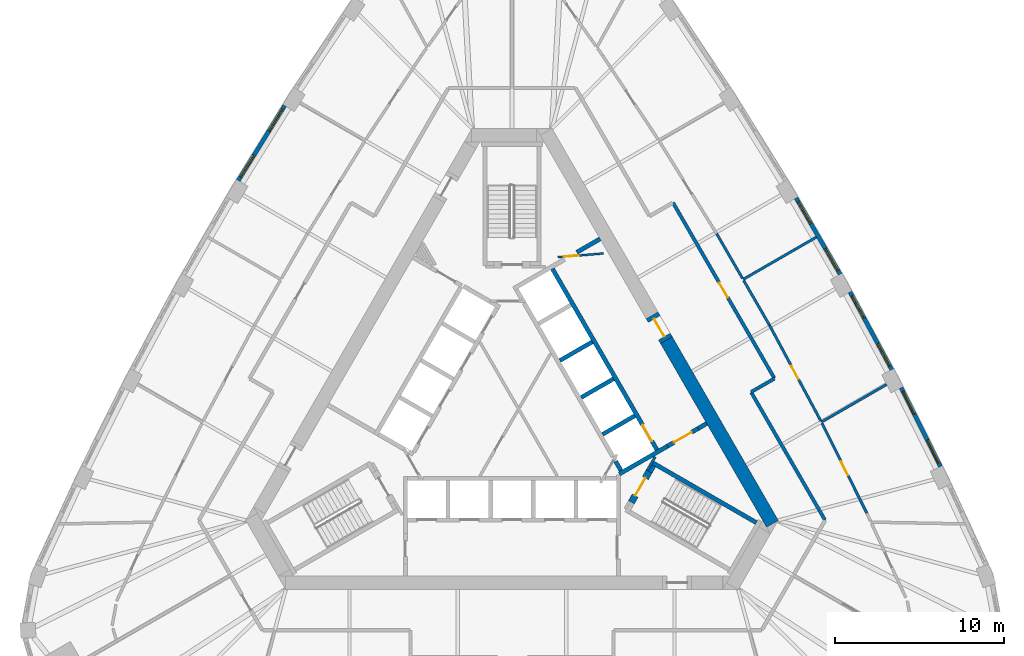
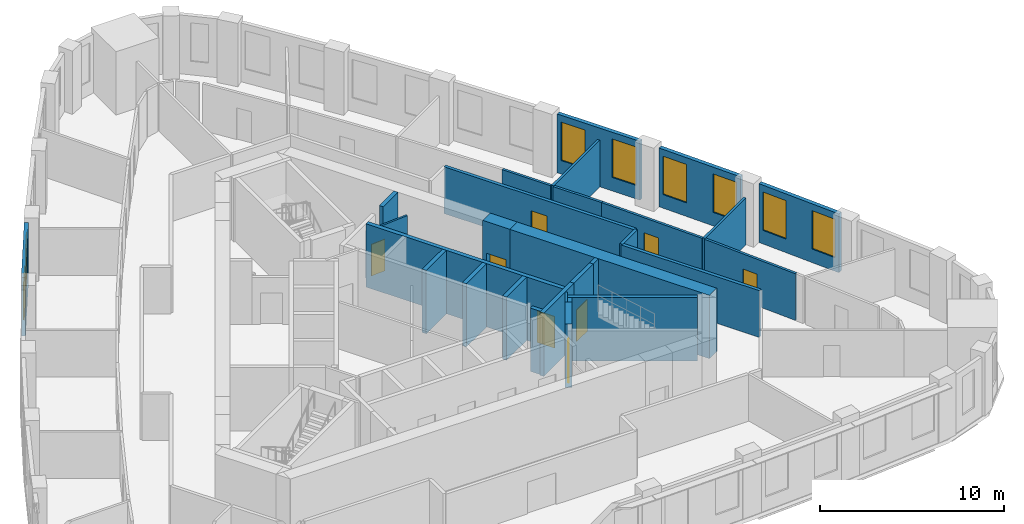
# One storey, part 7 of 10: 29 walls, 8 doors, 8 windows, 16 openings.
"""IFC4 building model written with IfcOpenShell, lengths in metres."""

from ifc_helpers import new_model, si_unit, direction, frame, frame_2d, origin, place, context, subcontext, project, spatial, rectangle, extrude, material, layer, layer_set, type_object, element, fill, save


model = new_model("IFC4")

# Units and contexts
model_context = context("Model", 3, precision=1e-05, world=origin(), true_north=direction((0.0, 1.0)))
body_context = subcontext(model_context, "Body", "Model", "MODEL_VIEW")
ifc_project = project(units=[si_unit("LENGTHUNIT", "METRE"), si_unit("AREAUNIT", "SQUARE_METRE"), si_unit("VOLUMEUNIT", "CUBIC_METRE"), si_unit("PLANEANGLEUNIT", "RADIAN"), si_unit("MASSUNIT", "GRAM", prefix="KILO")], contexts=[model_context])

# Site, building, storey
site_placement = place(None, origin())
site = spatial("IfcSite", under=ifc_project, at=site_placement, CompositionType="ELEMENT")
building_placement = place(site_placement, origin())
building = spatial("IfcBuilding", under=site, at=building_placement, Name="Mestral Congress Tower", CompositionType="ELEMENT")
storey_placement = place(building_placement, frame((0.0, 0.0, 192.0)))
storey = spatial("IfcBuildingStorey", under=building, at=storey_placement, Name="L45", CompositionType="ELEMENT", Elevation=192.0)

# Wall, opening, door
ifc_material_1 = material(Name="Fire-rated board partition")
ifc_layer_1 = layer(ifc_material_1, 0.1201171875)
ifc_layer_set_1 = layer_set([ifc_layer_1], Name="Fire-rated board partition")
wall_type_1 = type_object("IfcWallType", Name="Core partition 150 door-wall 120", PredefinedType="PARTITIONING", material=ifc_layer_set_1)
wall_1_placement = place(storey_placement, frame((5.3984375, 9.418701171875, 0.0), z_axis=(0.0, 0.0, 1.0), x_axis=(-0.996653416376, -0.081743303248, 0.0)))
wall_1 = element("IfcWall", 1, at=wall_1_placement, inside=storey, type_object=wall_type_1, Name="L45 door wall", PredefinedType="PARTITIONING", context=body_context, shape_type="SweptSolid", body=[
    extrude(rectangle(XDim=2.699951171875, YDim=0.119873046875, at=frame_2d((1.35009765625, 0.0))), origin(), (0.0, 0.0, 1.0), 3.10009765625),
])
opening_1_placement = place(wall_1_placement, frame((1.449951171875, 0.0, 0.0)))
opening_1 = element("IfcOpeningElement", 2, at=opening_1_placement, cuts=wall_1, Name="Opening TD2", PredefinedType="OPENING", context=body_context, shape_type="SweptSolid", body=[
    extrude(rectangle(XDim=0.89990234375, YDim=2.10009765625, at=frame_2d((0.449951171875, 1.050048828125))), frame((0.0, 0.06982421875, 0.0), z_axis=(0.0, -1.0, 0.0), x_axis=(1.0, 0.0, 0.0)), (0.0, 0.0, 1.0), 0.139892578125),
])
ifc_material_2 = material(Name="Fire-rated steel door set", Category="steel")
door_type_1 = type_object("IfcDoorType", Name="Core door SR 900x2100", OperationType="SINGLE_SWING_LEFT", PredefinedType="DOOR", material=ifc_material_2)
door_1_placement = place(opening_1_placement, origin())
door_1 = element("IfcDoor", 3, at=door_1_placement, inside=storey, type_object=door_type_1, Name="Door TD2", OperationType="SINGLE_SWING_LEFT", OverallHeight=2.10009765625, OverallWidth=0.89990234375, PredefinedType="DOOR", context=body_context, shape_type="SweptSolid", body=[
    extrude(rectangle(XDim=0.89990234375, YDim=2.10009765625, at=frame_2d((0.449951171875, 1.050048828125))), frame((0.0, 0.02490234375, 0.0), z_axis=(0.0, -1.0, 0.0), x_axis=(1.0, 0.0, 0.0)), (0.0, 0.0, 1.0), 0.050048828125),
])
fill(opening_1, door_1)

# Wall
ifc_material_3 = material(Name="Concrete C60/75", Category="concrete")
ifc_layer_2 = layer(ifc_material_3, 0.800048828125)
ifc_layer_set_2 = layer_set([ifc_layer_2], Name="Concrete C60/75")
wall_type_2 = type_object("IfcWallType", Name="Core wall RC 800", PredefinedType="SOLIDWALL", material=ifc_layer_set_2)
wall_2_placement = place(storey_placement, frame((9.128662109375, 4.288818359375, 0.0), z_axis=(0.0, 0.0, 1.0), x_axis=(0.499995742806, -0.866027861663, 0.0)))
element("IfcWall", 4, at=wall_2_placement, inside=storey, type_object=wall_type_2, Name="L45 core wall", PredefinedType="SOLIDWALL", context=body_context, shape_type="SweptSolid", body=[
    extrude(rectangle(XDim=12.52734375, YDim=0.800048828125, at=frame_2d((6.263671875, 0.0))), origin(), (0.0, 0.0, 1.0), 4.199951171875),
])

# Wall, opening, door
wall_3_placement = place(storey_placement, frame((8.278564453125, 5.760986328125, 0.0), z_axis=(0.0, 0.0, 1.0), x_axis=(0.500062241894, -0.865989465428, 0.0)))
wall_3 = element("IfcWall", 5, at=wall_3_placement, inside=storey, type_object=wall_type_2, Name="L45 door wall", PredefinedType="SOLIDWALL", context=body_context, shape_type="SweptSolid", body=[
    extrude(rectangle(XDim=1.699951171875, YDim=0.800048828125, at=frame_2d((0.85009765625, 0.0))), origin(), (0.0, 0.0, 1.0), 4.199951171875),
])
opening_2_placement = place(wall_3_placement, frame((0.25, 0.0, 0.0)))
opening_2 = element("IfcOpeningElement", 6, at=opening_2_placement, cuts=wall_3, Name="Opening XDL", PredefinedType="OPENING", context=body_context, shape_type="SweptSolid", body=[
    extrude(rectangle(XDim=1.199951171875, YDim=2.10009765625, at=frame_2d((0.60009765625, 1.050048828125))), frame((0.0, 0.409912109375, 0.0), z_axis=(0.0, -1.0, 0.0), x_axis=(1.0, 0.0, 0.0)), (0.0, 0.0, 1.0), 0.820068359375),
])
door_type_2 = type_object("IfcDoorType", Name="Core door XD 1200x2100", OperationType="SINGLE_SWING_LEFT", PredefinedType="DOOR", material=ifc_material_2)
door_2_placement = place(opening_2_placement, origin())
door_2 = element("IfcDoor", 7, at=door_2_placement, inside=storey, type_object=door_type_2, Name="Door XDL", OperationType="SINGLE_SWING_LEFT", OverallHeight=2.10009765625, OverallWidth=1.199951171875, PredefinedType="DOOR", context=body_context, shape_type="SweptSolid", body=[
    extrude(rectangle(XDim=1.199951171875, YDim=2.10009765625, at=frame_2d((0.60009765625, 1.050048828125))), frame((0.0, 0.02490234375, 0.0), z_axis=(0.0, -1.0, 0.0), x_axis=(1.0, 0.0, 0.0)), (0.0, 0.0, 1.0), 0.050048828125),
])
fill(opening_2, door_2)

# Wall, openings, windows
ifc_material_4 = material(Name="Precast concrete C40/50 with limestone facing", Category="masonry")
ifc_layer_3 = layer(ifc_material_4, 0.239990234375)
ifc_layer_set_3 = layer_set([ifc_layer_3], Name="Precast concrete C40/50 with limestone facing")
wall_type_3 = type_object("IfcWallType", Name="Facade stone wall 240", PredefinedType="SOLIDWALL", material=ifc_layer_set_3)
wall_4_placement = place(storey_placement, frame((25.31591796875, -3.17138671875, 0.0), z_axis=(0.0, 0.0, 1.0), x_axis=(-0.446256171312, 0.8949052629, 0.0)))
wall_4 = element("IfcWall", 8, at=wall_4_placement, inside=storey, type_object=wall_type_3, Name="Facade wall F1-01", PredefinedType="SOLIDWALL", context=body_context, shape_type="SweptSolid", body=[
    extrude(rectangle(XDim=5.203369140625, YDim=0.239990234375, at=frame_2d((2.6015625, 0.0))), origin(), (0.0, 0.0, 1.0), 3.89990234375),
])
opening_3_placement = place(wall_4_placement, frame((0.248291015625, 0.0, 0.89990234375)))
opening_3 = element("IfcOpeningElement", 9, at=opening_3_placement, cuts=wall_4, Name="Opening W4", PredefinedType="OPENING", context=body_context, shape_type="SweptSolid", body=[
    extrude(rectangle(XDim=1.5, YDim=2.550048828125, at=frame_2d((0.75, 1.27490234375))), frame((0.0, 0.1298828125, 0.0), z_axis=(0.0, -1.0, 0.0), x_axis=(1.0, 0.0, 0.0)), (0.0, 0.0, 1.0), 0.260009765625),
])
opening_4_placement = place(wall_4_placement, frame((3.455078125, 0.0, 0.89990234375)))
opening_4 = element("IfcOpeningElement", 10, at=opening_4_placement, cuts=wall_4, Name="Opening W4", PredefinedType="OPENING", context=body_context, shape_type="SweptSolid", body=[
    extrude(rectangle(XDim=1.5, YDim=2.550048828125, at=frame_2d((0.75, 1.27490234375))), frame((0.0, 0.1298828125, 0.0), z_axis=(0.0, -1.0, 0.0), x_axis=(1.0, 0.0, 0.0)), (0.0, 0.0, 1.0), 0.260009765625),
])
ifc_material_5 = material(Name="Clear low-emissivity double glazing", Category="glass")
window_type = type_object("IfcWindowType", Name="Facade punched window 1500 x 2550 sill 900", PartitioningType="SINGLE_PANEL", PredefinedType="WINDOW", material=ifc_material_5)
window_1_placement = place(opening_3_placement, origin())
window_1 = element("IfcWindow", 11, at=window_1_placement, inside=storey, type_object=window_type, Name="Window F1-01a", OverallHeight=2.550048828125, OverallWidth=1.5, PartitioningType="SINGLE_PANEL", PredefinedType="WINDOW", context=body_context, shape_type="SweptSolid", body=[
    extrude(rectangle(XDim=1.5, YDim=2.550048828125, at=frame_2d((0.75, 1.27490234375))), frame((0.0, 0.0400390625, 0.0), z_axis=(0.0, -1.0, 0.0), x_axis=(1.0, 0.0, 0.0)), (0.0, 0.0, 1.0), 0.06005859375),
])
fill(opening_3, window_1)
window_2_placement = place(opening_4_placement, origin())
window_2 = element("IfcWindow", 12, at=window_2_placement, inside=storey, type_object=window_type, Name="Window F1-01b", OverallHeight=2.550048828125, OverallWidth=1.5, PartitioningType="SINGLE_PANEL", PredefinedType="WINDOW", context=body_context, shape_type="SweptSolid", body=[
    extrude(rectangle(XDim=1.5, YDim=2.550048828125, at=frame_2d((0.75, 1.27490234375))), frame((0.0, 0.0400390625, 0.0), z_axis=(0.0, -1.0, 0.0), x_axis=(1.0, 0.0, 0.0)), (0.0, 0.0, 1.0), 0.06005859375),
])
fill(opening_4, window_2)

wall_5_placement = place(storey_placement, frame((22.43994140625, 2.554931640625, 0.0), z_axis=(0.0, 0.0, 1.0), x_axis=(-0.473349833294, 0.880874528704, 0.0)))
wall_5 = element("IfcWall", 13, at=wall_5_placement, inside=storey, type_object=wall_type_3, Name="Facade wall F1-02", PredefinedType="SOLIDWALL", context=body_context, shape_type="SweptSolid", body=[
    extrude(rectangle(XDim=5.20361328125, YDim=0.239990234375, at=frame_2d((2.601806640625, 0.0))), origin(), (0.0, 0.0, 1.0), 3.89990234375),
])
opening_5_placement = place(wall_5_placement, frame((0.248291015625, 0.0, 0.89990234375)))
opening_5 = element("IfcOpeningElement", 14, at=opening_5_placement, cuts=wall_5, Name="Opening W4", PredefinedType="OPENING", context=body_context, shape_type="SweptSolid", body=[
    extrude(rectangle(XDim=1.5, YDim=2.550048828125, at=frame_2d((0.75, 1.27490234375))), frame((0.0, 0.1298828125, 0.0), z_axis=(0.0, -1.0, 0.0), x_axis=(1.0, 0.0, 0.0)), (0.0, 0.0, 1.0), 0.260009765625),
])
opening_6_placement = place(wall_5_placement, frame((3.455078125, 0.0, 0.89990234375)))
opening_6 = element("IfcOpeningElement", 15, at=opening_6_placement, cuts=wall_5, Name="Opening W4", PredefinedType="OPENING", context=body_context, shape_type="SweptSolid", body=[
    extrude(rectangle(XDim=1.5, YDim=2.550048828125, at=frame_2d((0.75, 1.27490234375))), frame((0.0, 0.1298828125, 0.0), z_axis=(0.0, -1.0, 0.0), x_axis=(1.0, 0.0, 0.0)), (0.0, 0.0, 1.0), 0.260009765625),
])
window_3_placement = place(opening_5_placement, origin())
window_3 = element("IfcWindow", 16, at=window_3_placement, inside=storey, type_object=window_type, Name="Window F1-02a", OverallHeight=2.550048828125, OverallWidth=1.5, PartitioningType="SINGLE_PANEL", PredefinedType="WINDOW", context=body_context, shape_type="SweptSolid", body=[
    extrude(rectangle(XDim=1.5, YDim=2.550048828125, at=frame_2d((0.75, 1.27490234375))), frame((0.0, 0.0400390625, 0.0), z_axis=(0.0, -1.0, 0.0), x_axis=(1.0, 0.0, 0.0)), (0.0, 0.0, 1.0), 0.06005859375),
])
fill(opening_5, window_3)
window_4_placement = place(opening_6_placement, origin())
window_4 = element("IfcWindow", 17, at=window_4_placement, inside=storey, type_object=window_type, Name="Window F1-02b", OverallHeight=2.550048828125, OverallWidth=1.5, PartitioningType="SINGLE_PANEL", PredefinedType="WINDOW", context=body_context, shape_type="SweptSolid", body=[
    extrude(rectangle(XDim=1.5, YDim=2.550048828125, at=frame_2d((0.75, 1.27490234375))), frame((0.0, 0.0400390625, 0.0), z_axis=(0.0, -1.0, 0.0), x_axis=(1.0, 0.0, 0.0)), (0.0, 0.0, 1.0), 0.06005859375),
])
fill(opening_6, window_4)

wall_6_placement = place(storey_placement, frame((19.390625, 8.19091796875, 0.0), z_axis=(0.0, 0.0, 1.0), x_axis=(-0.500009456303, 0.866019944116, 0.0)))
wall_6 = element("IfcWall", 18, at=wall_6_placement, inside=storey, type_object=wall_type_3, Name="Facade wall F1-03", PredefinedType="SOLIDWALL", context=body_context, shape_type="SweptSolid", body=[
    extrude(rectangle(XDim=5.20361328125, YDim=0.239990234375, at=frame_2d((2.601806640625, 0.0))), origin(), (0.0, 0.0, 1.0), 3.89990234375),
])
opening_7_placement = place(wall_6_placement, frame((0.248291015625, 0.0, 0.89990234375)))
opening_7 = element("IfcOpeningElement", 19, at=opening_7_placement, cuts=wall_6, Name="Opening W4", PredefinedType="OPENING", context=body_context, shape_type="SweptSolid", body=[
    extrude(rectangle(XDim=1.5, YDim=2.550048828125, at=frame_2d((0.75, 1.27490234375))), frame((0.0, 0.1298828125, 0.0), z_axis=(0.0, -1.0, 0.0), x_axis=(1.0, 0.0, 0.0)), (0.0, 0.0, 1.0), 0.260009765625),
])
opening_8_placement = place(wall_6_placement, frame((3.455078125, 0.0, 0.89990234375)))
opening_8 = element("IfcOpeningElement", 20, at=opening_8_placement, cuts=wall_6, Name="Opening W4", PredefinedType="OPENING", context=body_context, shape_type="SweptSolid", body=[
    extrude(rectangle(XDim=1.5, YDim=2.550048828125, at=frame_2d((0.75, 1.27490234375))), frame((0.0, 0.1298828125, 0.0), z_axis=(0.0, -1.0, 0.0), x_axis=(1.0, 0.0, 0.0)), (0.0, 0.0, 1.0), 0.260009765625),
])
window_5_placement = place(opening_7_placement, origin())
window_5 = element("IfcWindow", 21, at=window_5_placement, inside=storey, type_object=window_type, Name="Window F1-03a", OverallHeight=2.550048828125, OverallWidth=1.5, PartitioningType="SINGLE_PANEL", PredefinedType="WINDOW", context=body_context, shape_type="SweptSolid", body=[
    extrude(rectangle(XDim=1.5, YDim=2.550048828125, at=frame_2d((0.75, 1.27490234375))), frame((0.0, 0.0400390625, 0.0), z_axis=(0.0, -1.0, 0.0), x_axis=(1.0, 0.0, 0.0)), (0.0, 0.0, 1.0), 0.06005859375),
])
fill(opening_7, window_5)
window_6_placement = place(opening_8_placement, origin())
window_6 = element("IfcWindow", 22, at=window_6_placement, inside=storey, type_object=window_type, Name="Window F1-03b", OverallHeight=2.550048828125, OverallWidth=1.5, PartitioningType="SINGLE_PANEL", PredefinedType="WINDOW", context=body_context, shape_type="SweptSolid", body=[
    extrude(rectangle(XDim=1.5, YDim=2.550048828125, at=frame_2d((0.75, 1.27490234375))), frame((0.0, 0.0400390625, 0.0), z_axis=(0.0, -1.0, 0.0), x_axis=(1.0, 0.0, 0.0)), (0.0, 0.0, 1.0), 0.06005859375),
])
fill(opening_8, window_6)

wall_7_placement = place(storey_placement, frame((-13.4326171875, 18.156005859375, 0.0), z_axis=(0.0, 0.0, 1.0), x_axis=(-0.526197926587, -0.850362124072, 0.0)))
wall_7 = element("IfcWall", 23, at=wall_7_placement, inside=storey, type_object=wall_type_3, Name="Facade wall F2-02", PredefinedType="SOLIDWALL", context=body_context, shape_type="SweptSolid", body=[
    extrude(rectangle(XDim=5.203369140625, YDim=0.239990234375, at=frame_2d((2.6015625, 0.0))), origin(), (0.0, 0.0, 1.0), 3.89990234375),
])
opening_9_placement = place(wall_7_placement, frame((0.248291015625, 0.0, 0.89990234375)))
opening_9 = element("IfcOpeningElement", 24, at=opening_9_placement, cuts=wall_7, Name="Opening W4", PredefinedType="OPENING", context=body_context, shape_type="SweptSolid", body=[
    extrude(rectangle(XDim=1.5, YDim=2.550048828125, at=frame_2d((0.75, 1.27490234375))), frame((0.0, 0.1298828125, 0.0), z_axis=(0.0, -1.0, 0.0), x_axis=(1.0, 0.0, 0.0)), (0.0, 0.0, 1.0), 0.260009765625),
])
opening_10_placement = place(wall_7_placement, frame((3.455078125, 0.0, 0.89990234375)))
opening_10 = element("IfcOpeningElement", 25, at=opening_10_placement, cuts=wall_7, Name="Opening W4", PredefinedType="OPENING", context=body_context, shape_type="SweptSolid", body=[
    extrude(rectangle(XDim=1.5, YDim=2.550048828125, at=frame_2d((0.75, 1.27490234375))), frame((0.0, 0.1298828125, 0.0), z_axis=(0.0, -1.0, 0.0), x_axis=(1.0, 0.0, 0.0)), (0.0, 0.0, 1.0), 0.260009765625),
])
window_7_placement = place(opening_9_placement, origin())
window_7 = element("IfcWindow", 26, at=window_7_placement, inside=storey, type_object=window_type, Name="Window F2-02a", OverallHeight=2.550048828125, OverallWidth=1.5, PartitioningType="SINGLE_PANEL", PredefinedType="WINDOW", context=body_context, shape_type="SweptSolid", body=[
    extrude(rectangle(XDim=1.5, YDim=2.550048828125, at=frame_2d((0.75, 1.27490234375))), frame((0.0, 0.0400390625, 0.0), z_axis=(0.0, -1.0, 0.0), x_axis=(1.0, 0.0, 0.0)), (0.0, 0.0, 1.0), 0.06005859375),
])
fill(opening_9, window_7)
window_8_placement = place(opening_10_placement, origin())
window_8 = element("IfcWindow", 27, at=window_8_placement, inside=storey, type_object=window_type, Name="Window F2-02b", OverallHeight=2.550048828125, OverallWidth=1.5, PartitioningType="SINGLE_PANEL", PredefinedType="WINDOW", context=body_context, shape_type="SweptSolid", body=[
    extrude(rectangle(XDim=1.5, YDim=2.550048828125, at=frame_2d((0.75, 1.27490234375))), frame((0.0, 0.0400390625, 0.0), z_axis=(0.0, -1.0, 0.0), x_axis=(1.0, 0.0, 0.0)), (0.0, 0.0, 1.0), 0.06005859375),
])
fill(opening_10, window_8)

# Wall
ifc_material_6 = material(Name="Plasterboard partition on steel studs", Category="steel")
ifc_layer_4 = layer(ifc_material_6, 0.14990234375)
ifc_layer_set_4 = layer_set([ifc_layer_4], Name="Plasterboard partition on steel studs")
wall_type_4 = type_object("IfcWallType", Name="Office partition 150", PredefinedType="PARTITIONING", material=ifc_layer_set_4)
wall_8_placement = place(storey_placement, frame((18.2861328125, -0.54736328125, 0.0), z_axis=(0.0, 0.0, 1.0), x_axis=(0.866043033223, 0.499969463673, 0.0)))
element("IfcWall", 28, at=wall_8_placement, inside=storey, type_object=wall_type_4, Name="Partition", PredefinedType="PARTITIONING", context=body_context, shape_type="SweptSolid", body=[
    extrude(rectangle(XDim=4.448974609375, YDim=0.14990234375, at=frame_2d((2.224609375, 0.0))), origin(), (0.0, 0.0, 1.0), 3.10009765625),
])

# Wall, opening, door
wall_9_placement = place(storey_placement, frame((18.319580078125, -0.61474609375, 0.0), z_axis=(0.0, 0.0, 1.0), x_axis=(0.446258864447, -0.894903919928, 0.0)))
wall_9 = element("IfcWall", 29, at=wall_9_placement, inside=storey, type_object=wall_type_4, Name="Partition", PredefinedType="PARTITIONING", context=body_context, shape_type="SweptSolid", body=[
    extrude(rectangle(XDim=5.934326171875, YDim=0.14990234375, at=frame_2d((2.96728515625, 0.0))), origin(), (0.0, 0.0, 1.0), 3.10009765625),
])
opening_11_placement = place(wall_9_placement, frame((2.5341796875, 0.0, 0.0)))
opening_11 = element("IfcOpeningElement", 30, at=opening_11_placement, cuts=wall_9, Name="Opening O05-005", PredefinedType="OPENING", context=body_context, shape_type="SweptSolid", body=[
    extrude(rectangle(XDim=0.89990234375, YDim=2.10009765625, at=frame_2d((0.449951171875, 1.050048828125))), frame((0.0, 0.0849609375, 0.0), z_axis=(0.0, -1.0, 0.0), x_axis=(1.0, 0.0, 0.0)), (0.0, 0.0, 1.0), 0.169921875),
])
ifc_material_7 = material(Name="Timber door set", Category="wood")
door_type_3 = type_object("IfcDoorType", Name="Office door 900x2100", OperationType="SINGLE_SWING_LEFT", PredefinedType="DOOR", material=ifc_material_7)
door_3_placement = place(opening_11_placement, origin())
door_3 = element("IfcDoor", 31, at=door_3_placement, inside=storey, type_object=door_type_3, Name="Door O05-005", OperationType="SINGLE_SWING_RIGHT", OverallHeight=2.10009765625, OverallWidth=0.89990234375, PredefinedType="DOOR", context=body_context, shape_type="SweptSolid", body=[
    extrude(rectangle(XDim=0.89990234375, YDim=2.10009765625, at=frame_2d((0.449951171875, 1.050048828125))), frame((0.0, 0.02490234375, 0.0), z_axis=(0.0, -1.0, 0.0), x_axis=(1.0, 0.0, 0.0)), (0.0, 0.0, 1.0), 0.050048828125),
])
fill(opening_11, door_3)

# Wall
wall_10_placement = place(storey_placement, frame((13.65576171875, 7.884033203125, 0.0), z_axis=(0.0, 0.0, 1.0), x_axis=(0.866022959057, 0.500004234368, 0.0)))
element("IfcWall", 32, at=wall_10_placement, inside=storey, type_object=wall_type_4, Name="Partition", PredefinedType="PARTITIONING", context=body_context, shape_type="SweptSolid", body=[
    extrude(rectangle(XDim=5.0, YDim=0.14990234375, at=frame_2d((2.5, 0.0))), origin(), (0.0, 0.0, 1.0), 3.10009765625),
])

# Wall, opening, door
wall_11_placement = place(storey_placement, frame((15.21875, 5.177001953125, 0.0), z_axis=(0.0, 0.0, 1.0), x_axis=(0.472318506028, -0.881427948765, 0.0)))
wall_11 = element("IfcWall", 33, at=wall_11_placement, inside=storey, type_object=wall_type_4, Name="Partition", PredefinedType="PARTITIONING", context=body_context, shape_type="SweptSolid", body=[
    extrude(rectangle(XDim=6.41943359375, YDim=0.14990234375, at=frame_2d((3.209716796875, 0.0))), origin(), (0.0, 0.0, 1.0), 3.10009765625),
])
opening_12_placement = place(wall_11_placement, frame((2.719482421875, 0.0, 0.0)))
opening_12 = element("IfcOpeningElement", 34, at=opening_12_placement, cuts=wall_11, Name="Opening O05-006", PredefinedType="OPENING", context=body_context, shape_type="SweptSolid", body=[
    extrude(rectangle(XDim=0.89990234375, YDim=2.10009765625, at=frame_2d((0.449951171875, 1.050048828125))), frame((0.0, 0.0849609375, 0.0), z_axis=(0.0, -1.0, 0.0), x_axis=(1.0, 0.0, 0.0)), (0.0, 0.0, 1.0), 0.169921875),
])
door_4_placement = place(opening_12_placement, origin())
door_4 = element("IfcDoor", 35, at=door_4_placement, inside=storey, type_object=door_type_3, Name="Door O05-006", OperationType="SINGLE_SWING_LEFT", OverallHeight=2.10009765625, OverallWidth=0.89990234375, PredefinedType="DOOR", context=body_context, shape_type="SweptSolid", body=[
    extrude(rectangle(XDim=0.89990234375, YDim=2.10009765625, at=frame_2d((0.449951171875, 1.050048828125))), frame((0.0, 0.02490234375, 0.0), z_axis=(0.0, -1.0, 0.0), x_axis=(1.0, 0.0, 0.0)), (0.0, 0.0, 1.0), 0.050048828125),
])
fill(opening_12, door_4)

# Walls
wall_12_placement = place(storey_placement, frame((15.21875, 5.177001953125, 0.0), z_axis=(0.0, 0.0, 1.0), x_axis=(-0.500054937028, 0.865993683553, 0.0)))
element("IfcWall", 36, at=wall_12_placement, inside=storey, type_object=wall_type_4, Name="Partition", PredefinedType="PARTITIONING", context=body_context, shape_type="SweptSolid", body=[
    extrude(rectangle(XDim=3.051025390625, YDim=0.14990234375, at=frame_2d((1.525390625, 0.0))), origin(), (0.0, 0.0, 1.0), 3.10009765625),
])
wall_13_placement = place(storey_placement, frame((13.6181640625, 7.94921875, 0.0), z_axis=(0.0, 0.0, 1.0), x_axis=(-0.499994921628, 0.866028335764, 0.0)))
element("IfcWall", 37, at=wall_13_placement, inside=storey, type_object=wall_type_4, Name="Partition", PredefinedType="PARTITIONING", context=body_context, shape_type="SweptSolid", body=[
    extrude(rectangle(XDim=3.05078125, YDim=0.14990234375, at=frame_2d((1.525390625, 0.0))), origin(), (0.0, 0.0, 1.0), 3.10009765625),
])
ifc_material_8 = material(Name="Dense masonry wall, plastered", Category="masonry")
ifc_layer_5 = layer(ifc_material_8, 0.199951171875)
ifc_layer_set_5 = layer_set([ifc_layer_5], Name="Dense masonry wall, plastered")
wall_type_5 = type_object("IfcWallType", Name="Office tenancy wall 200", PredefinedType="PARTITIONING", material=ifc_layer_set_5)
wall_14_placement = place(storey_placement, frame((14.12841796875, 1.228759765625, 0.0), z_axis=(0.0, 0.0, 1.0), x_axis=(0.866028054938, 0.499995408039, 0.0)))
element("IfcWall", 38, at=wall_14_placement, inside=storey, type_object=wall_type_5, Name="Tenancy wall", PredefinedType="PARTITIONING", context=body_context, shape_type="SweptSolid", body=[
    extrude(rectangle(XDim=1.60009765625, YDim=0.199951171875, at=frame_2d((0.800048828125, 0.0))), origin(), (0.0, 0.0, 1.0), 3.10009765625),
])

# Wall, opening, door
wall_15_placement = place(storey_placement, frame((15.4990234375, 2.0546875, 0.0), z_axis=(0.0, 0.0, 1.0), x_axis=(-0.499986694938, 0.866033085329, 0.0)))
wall_15 = element("IfcWall", 39, at=wall_15_placement, inside=storey, type_object=wall_type_5, Name="Tenancy wall", PredefinedType="PARTITIONING", context=body_context, shape_type="SweptSolid", body=[
    extrude(rectangle(XDim=11.969970703125, YDim=0.199951171875, at=frame_2d((5.98486328125, 0.0))), origin(), (0.0, 0.0, 1.0), 3.10009765625),
])
opening_13_placement = place(wall_15_placement, frame((5.5, 0.0, 0.0)))
opening_13 = element("IfcOpeningElement", 40, at=opening_13_placement, cuts=wall_15, Name="Opening O05-010", PredefinedType="OPENING", context=body_context, shape_type="SweptSolid", body=[
    extrude(rectangle(XDim=1.0, YDim=2.10009765625, at=frame_2d((0.5, 1.050048828125))), frame((0.0, 0.10986328125, 0.0), z_axis=(0.0, -1.0, 0.0), x_axis=(1.0, 0.0, 0.0)), (0.0, 0.0, 1.0), 0.219970703125),
])
ifc_material_9 = material(Name="Fire-rated timber door set", Category="wood")
door_type_4 = type_object("IfcDoorType", Name="Office tenancy entrance door 1000x2100", OperationType="SINGLE_SWING_LEFT", PredefinedType="DOOR", material=ifc_material_9)
door_5_placement = place(opening_13_placement, origin())
door_5 = element("IfcDoor", 41, at=door_5_placement, inside=storey, type_object=door_type_4, Name="Door O05-010", OperationType="SINGLE_SWING_RIGHT", OverallHeight=2.10009765625, OverallWidth=1.0, PredefinedType="DOOR", context=body_context, shape_type="SweptSolid", body=[
    extrude(rectangle(XDim=1.0, YDim=2.10009765625, at=frame_2d((0.5, 1.050048828125))), frame((0.0, 0.02490234375, 0.0), z_axis=(0.0, -1.0, 0.0), x_axis=(1.0, 0.0, 0.0)), (0.0, 0.0, 1.0), 0.050048828125),
])
fill(opening_13, door_5)

# Walls
wall_16_placement = place(storey_placement, frame((18.489013671875, -6.323974609375, 0.0), z_axis=(0.0, 0.0, 1.0), x_axis=(-0.500006134913, 0.866021861762, 0.0)))
element("IfcWall", 42, at=wall_16_placement, inside=storey, type_object=wall_type_5, Name="Tenancy wall", PredefinedType="PARTITIONING", context=body_context, shape_type="SweptSolid", body=[
    extrude(rectangle(XDim=8.69140625, YDim=0.199951171875, at=frame_2d((4.345703125, 0.0))), origin(), (0.0, 0.0, 1.0), 3.10009765625),
])
ifc_layer_6 = layer(ifc_material_3, 0.25)
ifc_layer_set_6 = layer_set([ifc_layer_6], Name="Concrete C60/75")
wall_type_6 = type_object("IfcWallType", Name="Shaft wall RC 250", PredefinedType="SOLIDWALL", material=ifc_layer_set_6)
wall_17_placement = place(storey_placement, frame((9.190185546875, -1.96875, 0.0), z_axis=(0.0, 0.0, 1.0), x_axis=(-0.866057109641, -0.499945079824, 0.0)))
element("IfcWall", 43, at=wall_17_placement, inside=storey, type_object=wall_type_6, Name="L45 core wall", PredefinedType="SOLIDWALL", context=body_context, shape_type="SweptSolid", body=[
    extrude(rectangle(XDim=3.290771484375, YDim=0.25, at=frame_2d((1.6455078125, 0.0))), origin(), (0.0, 0.0, 1.0), 4.199951171875),
])
wall_18_placement = place(storey_placement, frame((6.1298828125, -2.867431640625, 0.0), z_axis=(0.0, 0.0, 1.0), x_axis=(0.500160776593, -0.865932559475, 0.0)))
element("IfcWall", 44, at=wall_18_placement, inside=storey, type_object=wall_type_6, Name="L45 core wall", PredefinedType="SOLIDWALL", context=body_context, shape_type="SweptSolid", body=[
    extrude(rectangle(XDim=0.626708984375, YDim=0.25, at=frame_2d((0.3134765625, 0.0))), origin(), (0.0, 0.0, 1.0), 4.199951171875),
])
wall_19_placement = place(storey_placement, frame((11.507080078125, -0.631103515625, 0.0), z_axis=(0.0, 0.0, 1.0), x_axis=(-0.866093731455, -0.499881634324, 0.0)))
element("IfcWall", 45, at=wall_19_placement, inside=storey, type_object=wall_type_6, Name="L45 core wall", PredefinedType="SOLIDWALL", context=body_context, shape_type="SweptSolid", body=[
    extrude(rectangle(XDim=0.575439453125, YDim=0.25, at=frame_2d((0.28759765625, 0.0))), origin(), (0.0, 0.0, 1.0), 4.199951171875),
])
for number, where, z_axis, x_axis, name in (
    (46, (2.833984375, 3.091064453125, 0.0), (0.0, 0.0, 1.0), (0.866008176907, 0.50002983664, 0.0), "L45 core wall"),
    (47, (4.093994140625, 0.90869140625, 0.0), (0.0, 0.0, 1.0), (0.866008176907, 0.50002983664, 0.0), "L45 core wall"),
    (48, (5.35400390625, -1.273681640625, 0.0), (0.0, 0.0, 1.0), (0.866008176907, 0.50002983664, 0.0), "L45 core wall"),
):
    element("IfcWall", number, at=place(storey_placement, frame(where, z_axis=z_axis, x_axis=x_axis)), inside=storey, type_object=wall_type_6, Name=name, PredefinedType="SOLIDWALL", context=body_context, shape_type="SweptSolid", body=[
        extrude(rectangle(XDim=2.199951171875, YDim=0.25, at=frame_2d((1.10009765625, 0.0))), origin(), (0.0, 0.0, 1.0), 4.199951171875),
    ])
wall_20_placement = place(storey_placement, frame((3.82958984375, 9.485595703125, 0.0), z_axis=(0.0, 0.0, 1.0), x_axis=(0.865986202621, 0.500067892261, 0.0)))
element("IfcWall", 49, at=wall_20_placement, inside=storey, type_object=wall_type_6, Name="L45 core wall", PredefinedType="SOLIDWALL", context=body_context, shape_type="SweptSolid", body=[
    extrude(rectangle(XDim=1.590576171875, YDim=0.25, at=frame_2d((0.79541015625, 0.0))), origin(), (0.0, 0.0, 1.0), 4.199951171875),
])

# Wall, opening, door
wall_21_placement = place(storey_placement, frame((8.565185546875, -2.185302734375, 0.0), z_axis=(0.0, 0.0, 1.0), x_axis=(-0.499997954832, 0.866026584559, 0.0)))
wall_21 = element("IfcWall", 50, at=wall_21_placement, inside=storey, type_object=wall_type_6, Name="L45 door wall", PredefinedType="SOLIDWALL", context=body_context, shape_type="SweptSolid", body=[
    extrude(rectangle(XDim=12.35009765625, YDim=0.25, at=frame_2d((6.175048828125, 0.0))), origin(), (0.0, 0.0, 1.0), 4.199951171875),
])
opening_14_placement = place(wall_21_placement, frame((0.5849609375, 0.0, 0.0)))
opening_14 = element("IfcOpeningElement", 51, at=opening_14_placement, cuts=wall_21, Name="Opening LD-NEB1", PredefinedType="OPENING", context=body_context, shape_type="SweptSolid", body=[
    extrude(rectangle(XDim=1.10009765625, YDim=2.10009765625, at=frame_2d((0.550048828125, 1.050048828125))), frame((0.0, 0.135009765625, 0.0), z_axis=(0.0, -1.0, 0.0), x_axis=(1.0, 0.0, 0.0)), (0.0, 0.0, 1.0), 0.27001953125),
])
door_type_5 = type_object("IfcDoorType", Name="Core door LD 1100x2100", OperationType="DOUBLE_DOOR_SLIDING", PredefinedType="DOOR", material=ifc_material_2)
door_6_placement = place(opening_14_placement, origin())
door_6 = element("IfcDoor", 52, at=door_6_placement, inside=storey, type_object=door_type_5, Name="Door LD-NEB1", OperationType="DOUBLE_DOOR_SLIDING", OverallHeight=2.10009765625, OverallWidth=1.10009765625, PredefinedType="DOOR", context=body_context, shape_type="SweptSolid", body=[
    extrude(rectangle(XDim=1.10009765625, YDim=2.10009765625, at=frame_2d((0.550048828125, 1.050048828125))), frame((0.0, 0.02490234375, 0.0), z_axis=(0.0, -1.0, 0.0), x_axis=(1.0, 0.0, 0.0)), (0.0, 0.0, 1.0), 0.050048828125),
])
fill(opening_14, door_6)

wall_22_placement = place(storey_placement, frame((11.0087890625, -0.918701171875, 0.0), z_axis=(0.0, 0.0, 1.0), x_axis=(-0.866059744384, -0.49994051562, 0.0)))
wall_22 = element("IfcWall", 53, at=wall_22_placement, inside=storey, type_object=wall_type_6, Name="L45 door wall", PredefinedType="SOLIDWALL", context=body_context, shape_type="SweptSolid", body=[
    extrude(rectangle(XDim=2.099853515625, YDim=0.25, at=frame_2d((1.0498046875, 0.0))), origin(), (0.0, 0.0, 1.0), 4.199951171875),
])
opening_15_placement = place(wall_22_placement, frame((0.449951171875, 0.0, 0.0)))
opening_15 = element("IfcOpeningElement", 54, at=opening_15_placement, cuts=wall_22, Name="Opening LB1-PX10", PredefinedType="OPENING", context=body_context, shape_type="SweptSolid", body=[
    extrude(rectangle(XDim=1.199951171875, YDim=2.10009765625, at=frame_2d((0.60009765625, 1.050048828125))), frame((0.0, 0.135009765625, 0.0), z_axis=(0.0, -1.0, 0.0), x_axis=(1.0, 0.0, 0.0)), (0.0, 0.0, 1.0), 0.27001953125),
])
door_type_6 = type_object("IfcDoorType", Name="Core door LB 1200x2100", OperationType="SINGLE_SWING_LEFT", PredefinedType="DOOR", material=ifc_material_2)
door_7_placement = place(opening_15_placement, origin())
door_7 = element("IfcDoor", 55, at=door_7_placement, inside=storey, type_object=door_type_6, Name="Door LB1-PX10", OperationType="SINGLE_SWING_LEFT", OverallHeight=2.10009765625, OverallWidth=1.199951171875, PredefinedType="DOOR", context=body_context, shape_type="SweptSolid", body=[
    extrude(rectangle(XDim=1.199951171875, YDim=2.10009765625, at=frame_2d((0.60009765625, 1.050048828125))), frame((0.0, 0.02490234375, 0.0), z_axis=(0.0, -1.0, 0.0), x_axis=(1.0, 0.0, 0.0)), (0.0, 0.0, 1.0), 0.050048828125),
])
fill(opening_15, door_7)

# Walls
ifc_layer_7 = layer(ifc_material_3, 0.14990234375)
ifc_layer_set_7 = layer_set([ifc_layer_7], Name="Concrete C60/75")
wall_type_7 = type_object("IfcWallType", Name="Shaft wall RC 250 door-wall 150", PredefinedType="SOLIDWALL", material=ifc_layer_set_7)
wall_23_placement = place(storey_placement, frame((8.459228515625, -2.59912109375, 0.0), z_axis=(0.0, 0.0, 1.0), x_axis=(-0.500041054325, -0.866001699761, 0.0)))
element("IfcWall", 56, at=wall_23_placement, inside=storey, type_object=wall_type_7, Name="L45 core wall", PredefinedType="PARTITIONING", context=body_context, shape_type="SweptSolid", body=[
    extrude(rectangle(XDim=0.9287109375, YDim=0.14990234375, at=frame_2d((0.46435546875, 0.0))), origin(), (0.0, 0.0, 1.0), 4.199951171875),
])
ifc_layer_8 = layer(ifc_material_3, 0.25)
ifc_layer_set_8 = layer_set([ifc_layer_8], Name="Concrete C60/75")
wall_type_8 = type_object("IfcWallType", Name="Stair wall RC 250", PredefinedType="SOLIDWALL", material=ifc_layer_set_8)
wall_24_placement = place(storey_placement, frame((8.33447265625, -2.96435546875, 0.0), z_axis=(0.0, 0.0, 1.0), x_axis=(0.866016039709, -0.500016218704, 0.0)))
element("IfcWall", 57, at=wall_24_placement, inside=storey, type_object=wall_type_8, Name="L45 core wall", PredefinedType="SOLIDWALL", context=body_context, shape_type="SweptSolid", body=[
    extrude(rectangle(XDim=7.050048828125, YDim=0.25, at=frame_2d((3.52490234375, 0.0))), origin(), (0.0, 0.0, 1.0), 4.199951171875),
])
wall_25_placement = place(storey_placement, frame((8.167724609375, -3.503173828125, 0.0), z_axis=(0.0, 0.0, 1.0), x_axis=(0.49972245349, 0.866185586049, 0.0)))
element("IfcWall", 58, at=wall_25_placement, inside=storey, type_object=wall_type_8, Name="L45 core wall", PredefinedType="SOLIDWALL", context=body_context, shape_type="SweptSolid", body=[
    extrude(rectangle(XDim=0.425048828125, YDim=0.25, at=frame_2d((0.21240234375, 0.0))), origin(), (0.0, 0.0, 1.0), 4.199951171875),
])

# Wall, opening, door
ifc_layer_9 = layer(ifc_material_3, 0.39990234375)
ifc_layer_set_9 = layer_set([ifc_layer_9], Name="Concrete C60/75")
wall_type_9 = type_object("IfcWallType", Name="Stair wall RC 250 door-wall 400", PredefinedType="SOLIDWALL", material=ifc_layer_set_9)
wall_26_placement = place(storey_placement, frame((7.052734375, -5.2841796875, 0.0), z_axis=(0.0, 0.0, 1.0), x_axis=(0.500078061341, 0.865980330357, 0.0)))
wall_26 = element("IfcWall", 59, at=wall_26_placement, inside=storey, type_object=wall_type_9, Name="L45 door wall", PredefinedType="SOLIDWALL", context=body_context, shape_type="SweptSolid", body=[
    extrude(rectangle(XDim=2.099853515625, YDim=0.39990234375, at=frame_2d((1.0498046875, 0.0))), origin(), (0.0, 0.0, 1.0), 4.199951171875),
])
opening_16_placement = place(wall_26_placement, frame((0.449951171875, 0.0, 0.0)))
opening_16 = element("IfcOpeningElement", 60, at=opening_16_placement, cuts=wall_26, Name="Opening ST-D1", PredefinedType="OPENING", context=body_context, shape_type="SweptSolid", body=[
    extrude(rectangle(XDim=1.199951171875, YDim=2.10009765625, at=frame_2d((0.60009765625, 1.050048828125))), frame((0.0, 0.2099609375, 0.0), z_axis=(0.0, -1.0, 0.0), x_axis=(1.0, 0.0, 0.0)), (0.0, 0.0, 1.0), 0.419921875),
])
door_type_7 = type_object("IfcDoorType", Name="Core door ST 1200x2100", OperationType="SINGLE_SWING_LEFT", PredefinedType="DOOR", material=ifc_material_2)
door_8_placement = place(opening_16_placement, origin())
door_8 = element("IfcDoor", 61, at=door_8_placement, inside=storey, type_object=door_type_7, Name="Door ST-D1", OperationType="SINGLE_SWING_LEFT", OverallHeight=2.10009765625, OverallWidth=1.199951171875, PredefinedType="DOOR", context=body_context, shape_type="SweptSolid", body=[
    extrude(rectangle(XDim=1.199951171875, YDim=2.10009765625, at=frame_2d((0.60009765625, 1.050048828125))), frame((0.0, 0.02490234375, 0.0), z_axis=(0.0, -1.0, 0.0), x_axis=(1.0, 0.0, 0.0)), (0.0, 0.0, 1.0), 0.050048828125),
])
fill(opening_16, door_8)

save(model, "model.ifc")
